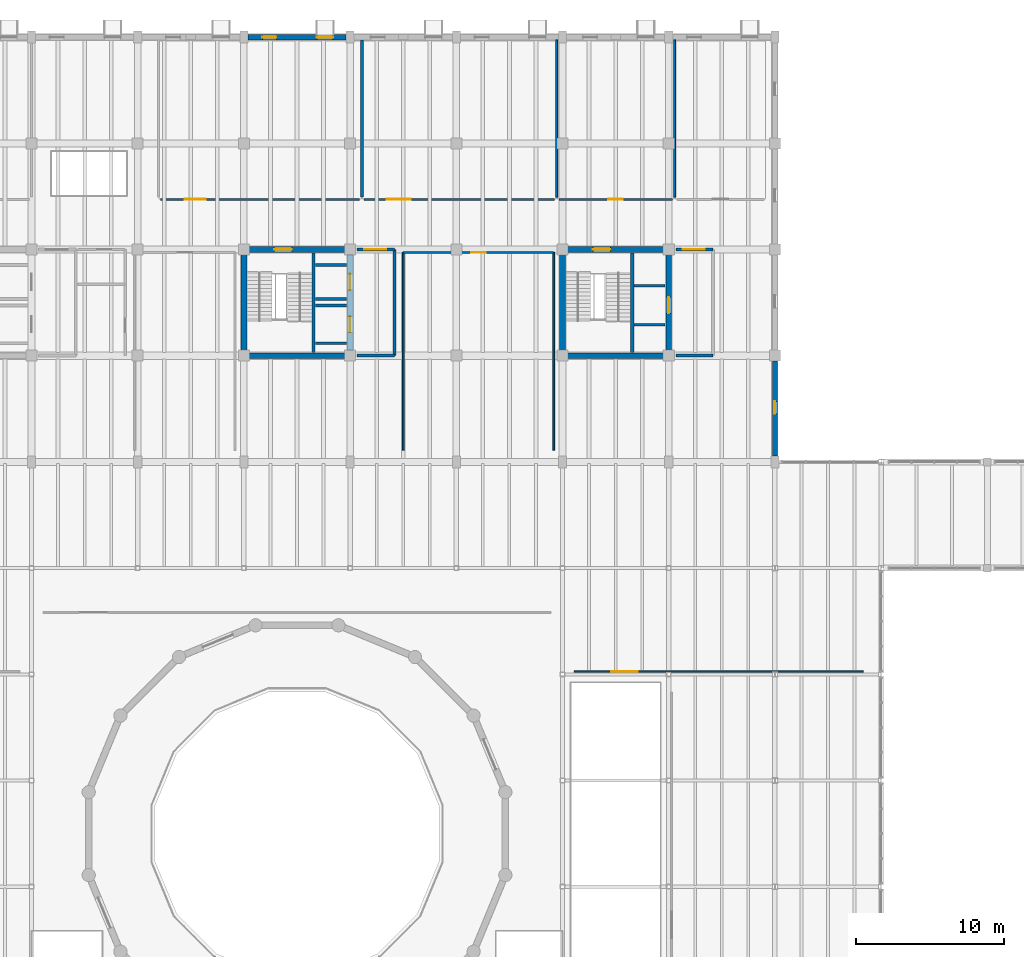
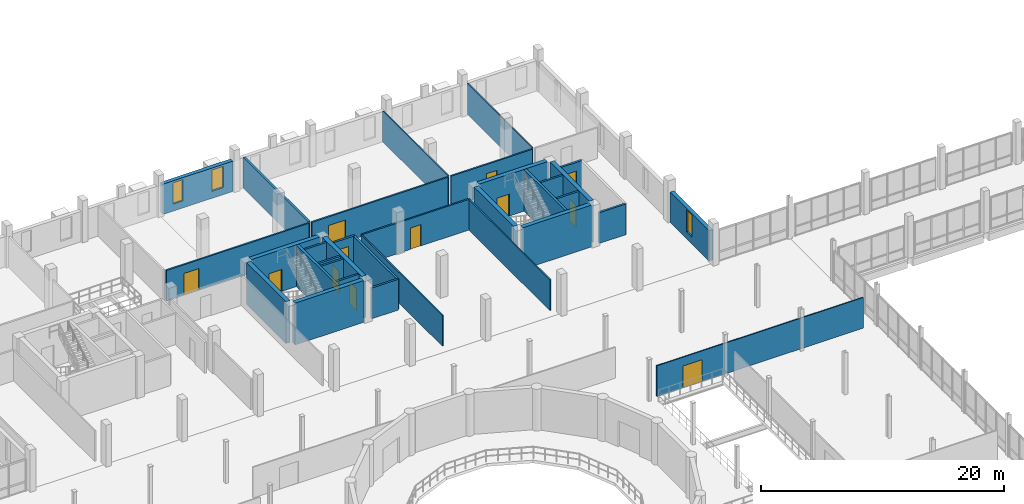
# One storey, part 61 of 72: 33 walls, 12 doors, 3 windows, 15 openings.
"""IFC4 building model written with IfcOpenShell, lengths in metres."""

from ifc_helpers import new_model, si_unit, direction, frame, frame_2d, origin, place, context, subcontext, project, spatial, rectangle, extrude, material, layer, layer_set, type_object, element, fill, save


model = new_model("IFC4")

# Units and contexts
model_context = context("Model", 3, precision=1e-05, world=origin(), true_north=direction((0.0, 1.0)))
body_context = subcontext(model_context, "Body", "Model", "MODEL_VIEW")
ifc_project = project(units=[si_unit("LENGTHUNIT", "METRE"), si_unit("AREAUNIT", "SQUARE_METRE"), si_unit("VOLUMEUNIT", "CUBIC_METRE"), si_unit("PLANEANGLEUNIT", "RADIAN"), si_unit("MASSUNIT", "GRAM", prefix="KILO")], contexts=[model_context])

# Site, building, storey
site_placement = place(None, origin())
site = spatial("IfcSite", under=ifc_project, at=site_placement, CompositionType="ELEMENT")
building_placement = place(site_placement, origin())
building = spatial("IfcBuilding", under=site, at=building_placement, Name="Qiaolan Assembly House", CompositionType="ELEMENT")
storey_placement = place(building_placement, frame((0.0, 0.0, 10.199951171875)))
storey = spatial("IfcBuildingStorey", under=building, at=storey_placement, Name="L02", CompositionType="ELEMENT", Elevation=10.199951171875)

# Wall
ifc_material_1 = material(Name="Concrete C45/55", Category="concrete")
ifc_layer_1 = layer(ifc_material_1, 0.39990234375)
ifc_layer_set_1 = layer_set([ifc_layer_1], Name="Concrete C45/55")
wall_type_1 = type_object("IfcWallType", Name="WAL-CORE-400", PredefinedType="SHEAR", material=ifc_layer_set_1)
wall_1_placement = place(storey_placement, frame((65.14990234375, 93.60009765625, 0.0), z_axis=(0.0, 0.0, 1.0), x_axis=(1.0, 0.0, 0.0)))
element("IfcWall", 1, at=wall_1_placement, inside=storey, type_object=wall_type_1, Name="CW-400 shear core wall CORE-B S L02", PredefinedType="SHEAR", context=body_context, shape_type="SweptSolid", body=[
    extrude(rectangle(XDim=6.5, YDim=0.39990234375, at=frame_2d((3.25, 0.0))), origin(), (0.0, 0.0, 1.0), 4.199951171875),
])

# Wall, openings, doors
wall_2_placement = place(storey_placement, frame((72.0, 93.949951171875, 0.0), z_axis=(0.0, 0.0, 1.0), x_axis=(0.0, 1.0, 0.0)))
wall_2 = element("IfcWall", 2, at=wall_2_placement, inside=storey, type_object=wall_type_1, Name="CW-400 shear core wall CORE-B E L02", PredefinedType="SHEAR", context=body_context, shape_type="SweptSolid", body=[
    extrude(rectangle(XDim=6.5, YDim=0.39990234375, at=frame_2d((3.25, 0.0))), origin(), (0.0, 0.0, 1.0), 4.199951171875),
])
opening_1_placement = place(wall_2_placement, frame((1.22509765625, 0.0, 0.0)))
opening_1 = element("IfcOpeningElement", 3, at=opening_1_placement, cuts=wall_2, Name="Opening LD-022", PredefinedType="OPENING", context=body_context, shape_type="SweptSolid", body=[
    extrude(rectangle(XDim=1.10009765625, YDim=2.199951171875, at=frame_2d((0.550048828125, 1.10009765625))), frame((0.0, 0.2099609375, 0.0), z_axis=(0.0, -1.0, 0.0), x_axis=(1.0, 0.0, 0.0)), (0.0, 0.0, 1.0), 0.419921875),
])
opening_2_placement = place(wall_2_placement, frame((4.10009765625, 0.0, 0.0)))
opening_2 = element("IfcOpeningElement", 4, at=opening_2_placement, cuts=wall_2, Name="Opening LD-031", PredefinedType="OPENING", context=body_context, shape_type="SweptSolid", body=[
    extrude(rectangle(XDim=1.10009765625, YDim=2.199951171875, at=frame_2d((0.550048828125, 1.10009765625))), frame((0.0, 0.2099609375, 0.0), z_axis=(0.0, -1.0, 0.0), x_axis=(1.0, 0.0, 0.0)), (0.0, 0.0, 1.0), 0.419921875),
])
ifc_material_2 = material(Name="Anodised bronze aluminium", Category="aluminium")
door_type_1 = type_object("IfcDoorType", Name="DOR-LIFT-LD1100", OperationType="SLIDING_TO_LEFT", PredefinedType="DOOR", material=ifc_material_2)
door_1_placement = place(opening_1_placement, origin())
door_1 = element("IfcDoor", 5, at=door_1_placement, inside=storey, type_object=door_type_1, Name="Lift landing door LD-022 (LF-03 L02)", OperationType="SLIDING_TO_LEFT", OverallHeight=2.199951171875, OverallWidth=1.10009765625, PredefinedType="DOOR", context=body_context, shape_type="SweptSolid", body=[
    extrude(rectangle(XDim=1.10009765625, YDim=2.199951171875, at=frame_2d((0.550048828125, 1.10009765625))), frame((0.0, 0.02490234375, 0.0), z_axis=(0.0, -1.0, 0.0), x_axis=(1.0, 0.0, 0.0)), (0.0, 0.0, 1.0), 0.050048828125),
])
fill(opening_1, door_1)
door_2_placement = place(opening_2_placement, origin())
door_2 = element("IfcDoor", 6, at=door_2_placement, inside=storey, type_object=door_type_1, Name="Lift landing door LD-031 (LF-04 L02)", OperationType="SLIDING_TO_LEFT", OverallHeight=2.199951171875, OverallWidth=1.10009765625, PredefinedType="DOOR", context=body_context, shape_type="SweptSolid", body=[
    extrude(rectangle(XDim=1.10009765625, YDim=2.199951171875, at=frame_2d((0.550048828125, 1.10009765625))), frame((0.0, 0.02490234375, 0.0), z_axis=(0.0, -1.0, 0.0), x_axis=(1.0, 0.0, 0.0)), (0.0, 0.0, 1.0), 0.050048828125),
])
fill(opening_2, door_2)

# Wall, opening, door
wall_3_placement = place(storey_placement, frame((71.64990234375, 100.800048828125, 0.0), z_axis=(0.0, 0.0, 1.0), x_axis=(-1.0, 0.0, 0.0)))
wall_3 = element("IfcWall", 7, at=wall_3_placement, inside=storey, type_object=wall_type_1, Name="CW-400 shear core wall CORE-B N L02", PredefinedType="SHEAR", context=body_context, shape_type="SweptSolid", body=[
    extrude(rectangle(XDim=6.5, YDim=0.39990234375, at=frame_2d((3.25, 0.0))), origin(), (0.0, 0.0, 1.0), 4.199951171875),
])
opening_3_placement = place(wall_3_placement, frame((3.60009765625, 0.0, 0.0)))
opening_3 = element("IfcOpeningElement", 8, at=opening_3_placement, cuts=wall_3, Name="Opening FD-041", PredefinedType="OPENING", context=body_context, shape_type="SweptSolid", body=[
    extrude(rectangle(XDim=1.199951171875, YDim=2.199951171875, at=frame_2d((0.60009765625, 1.10009765625))), frame((0.0, 0.2099609375, 0.0), z_axis=(0.0, -1.0, 0.0), x_axis=(1.0, 0.0, 0.0)), (0.0, 0.0, 1.0), 0.419921875),
])
ifc_material_3 = material(Name="Steel Q355B", Category="steel")
door_type_2 = type_object("IfcDoorType", Name="DOR-FIRE-FD90-1200", OperationType="NOTDEFINED", PredefinedType="DOOR", material=ifc_material_3)
door_3_placement = place(opening_3_placement, frame((1.199951171875, 0.0, 0.0), z_axis=(0.0, 0.0, 1.0), x_axis=(-1.0, 0.0, 0.0)))
door_3 = element("IfcDoor", 9, at=door_3_placement, inside=storey, type_object=door_type_2, Name="Stairwell fire door FD-041 (CORE-B L02)", OperationType="SINGLE_SWING_RIGHT", OverallHeight=2.199951171875, OverallWidth=1.199951171875, PredefinedType="DOOR", context=body_context, shape_type="SweptSolid", body=[
    extrude(rectangle(XDim=1.199951171875, YDim=2.199951171875, at=frame_2d((0.60009765625, 1.10009765625))), frame((0.0, 0.02490234375, 0.0), z_axis=(0.0, -1.0, 0.0), x_axis=(1.0, 0.0, 0.0)), (0.0, 0.0, 1.0), 0.050048828125),
])
fill(opening_3, door_3)

# Walls
for number, where, z_axis, x_axis, name in (
    (10, (64.800048828125, 100.449951171875, 0.0), (0.0, 0.0, 1.0), (0.0, -1.0, 0.0), "CW-400 shear core wall CORE-B W L02"),
    (11, (86.75, 93.60009765625, 0.0), (0.0, 0.0, 1.0), (1.0, 0.0, 0.0), "CW-400 shear core wall CORE-G S L02"),
):
    element("IfcWall", number, at=place(storey_placement, frame(where, z_axis=z_axis, x_axis=x_axis)), inside=storey, type_object=wall_type_1, Name=name, PredefinedType="SHEAR", context=body_context, shape_type="SweptSolid", body=[
        extrude(rectangle(XDim=6.5, YDim=0.39990234375, at=frame_2d((3.25, 0.0))), origin(), (0.0, 0.0, 1.0), 4.199951171875),
    ])

# Wall, opening, door
wall_4_placement = place(storey_placement, frame((93.60009765625, 93.949951171875, 0.0), z_axis=(0.0, 0.0, 1.0), x_axis=(0.0, 1.0, 0.0)))
wall_4 = element("IfcWall", 12, at=wall_4_placement, inside=storey, type_object=wall_type_1, Name="CW-400 shear core wall CORE-G E L02", PredefinedType="SHEAR", context=body_context, shape_type="SweptSolid", body=[
    extrude(rectangle(XDim=6.5, YDim=0.39990234375, at=frame_2d((3.25, 0.0))), origin(), (0.0, 0.0, 1.0), 4.199951171875),
])
opening_4_placement = place(wall_4_placement, frame((2.52490234375, 0.0, 0.0)))
opening_4 = element("IfcOpeningElement", 13, at=opening_4_placement, cuts=wall_4, Name="Opening LD-040", PredefinedType="OPENING", context=body_context, shape_type="SweptSolid", body=[
    extrude(rectangle(XDim=1.10009765625, YDim=2.199951171875, at=frame_2d((0.550048828125, 1.10009765625))), frame((0.0, 0.2099609375, 0.0), z_axis=(0.0, -1.0, 0.0), x_axis=(1.0, 0.0, 0.0)), (0.0, 0.0, 1.0), 0.419921875),
])
door_4_placement = place(opening_4_placement, origin())
door_4 = element("IfcDoor", 14, at=door_4_placement, inside=storey, type_object=door_type_1, Name="Lift landing door LD-040 (LF-05 L02)", OperationType="SLIDING_TO_LEFT", OverallHeight=2.199951171875, OverallWidth=1.10009765625, PredefinedType="DOOR", context=body_context, shape_type="SweptSolid", body=[
    extrude(rectangle(XDim=1.10009765625, YDim=2.199951171875, at=frame_2d((0.550048828125, 1.10009765625))), frame((0.0, 0.02490234375, 0.0), z_axis=(0.0, -1.0, 0.0), x_axis=(1.0, 0.0, 0.0)), (0.0, 0.0, 1.0), 0.050048828125),
])
fill(opening_4, door_4)

wall_5_placement = place(storey_placement, frame((93.25, 100.800048828125, 0.0), z_axis=(0.0, 0.0, 1.0), x_axis=(-1.0, 0.0, 0.0)))
wall_5 = element("IfcWall", 15, at=wall_5_placement, inside=storey, type_object=wall_type_1, Name="CW-400 shear core wall CORE-G N L02", PredefinedType="SHEAR", context=body_context, shape_type="SweptSolid", body=[
    extrude(rectangle(XDim=6.5, YDim=0.39990234375, at=frame_2d((3.25, 0.0))), origin(), (0.0, 0.0, 1.0), 4.199951171875),
])
opening_5_placement = place(wall_5_placement, frame((3.60009765625, 0.0, 0.0)))
opening_5 = element("IfcOpeningElement", 16, at=opening_5_placement, cuts=wall_5, Name="Opening FD-059", PredefinedType="OPENING", context=body_context, shape_type="SweptSolid", body=[
    extrude(rectangle(XDim=1.199951171875, YDim=2.199951171875, at=frame_2d((0.60009765625, 1.10009765625))), frame((0.0, 0.2099609375, 0.0), z_axis=(0.0, -1.0, 0.0), x_axis=(1.0, 0.0, 0.0)), (0.0, 0.0, 1.0), 0.419921875),
])
door_5_placement = place(opening_5_placement, frame((1.199951171875, 0.0, 0.0), z_axis=(0.0, 0.0, 1.0), x_axis=(-1.0, 0.0, 0.0)))
door_5 = element("IfcDoor", 17, at=door_5_placement, inside=storey, type_object=door_type_2, Name="Stairwell fire door FD-059 (CORE-G L02)", OperationType="SINGLE_SWING_LEFT", OverallHeight=2.199951171875, OverallWidth=1.199951171875, PredefinedType="DOOR", context=body_context, shape_type="SweptSolid", body=[
    extrude(rectangle(XDim=1.199951171875, YDim=2.199951171875, at=frame_2d((0.60009765625, 1.10009765625))), frame((0.0, 0.02490234375, 0.0), z_axis=(0.0, -1.0, 0.0), x_axis=(1.0, 0.0, 0.0)), (0.0, 0.0, 1.0), 0.050048828125),
])
fill(opening_5, door_5)

# Wall
wall_6_placement = place(storey_placement, frame((86.39990234375, 100.449951171875, 0.0), z_axis=(0.0, 0.0, 1.0), x_axis=(0.0, -1.0, 0.0)))
element("IfcWall", 18, at=wall_6_placement, inside=storey, type_object=wall_type_1, Name="CW-400 shear core wall CORE-G W L02", PredefinedType="SHEAR", context=body_context, shape_type="SweptSolid", body=[
    extrude(rectangle(XDim=6.5, YDim=0.39990234375, at=frame_2d((3.25, 0.0))), origin(), (0.0, 0.0, 1.0), 4.199951171875),
])

# Wall, openings, windows
ifc_material_4 = material(Name="Honed pale limestone", Category="masonry")
ifc_layer_2 = layer(ifc_material_4, 0.360107421875)
ifc_layer_set_2 = layer_set([ifc_layer_2], Name="Honed pale limestone")
wall_type_2 = type_object("IfcWallType", Name="WAL-EXT-LIMESTONE-360", PredefinedType="SOLIDWALL", material=ifc_layer_set_2)
wall_7_placement = place(storey_placement, frame((71.72705078125, 115.199951171875, 0.0), z_axis=(0.0, 0.0, 1.0), x_axis=(-1.0, 0.0, 0.0)))
wall_7 = element("IfcWall", 19, at=wall_7_placement, inside=storey, type_object=wall_type_2, Name="EW-360 NW North street wall L02 bay 5", PredefinedType="SOLIDWALL", context=body_context, shape_type="SweptSolid", body=[
    extrude(rectangle(XDim=6.654052734375, YDim=0.360107421875, at=frame_2d((3.3271484375, 0.0))), origin(), (0.0, 0.0, 1.0), 3.0400390625),
])
opening_6_placement = place(wall_7_placement, frame((0.876953125, 0.0, 0.699951171875)))
opening_6 = element("IfcOpeningElement", 20, at=opening_6_placement, cuts=wall_7, Name="Opening WN-050", PredefinedType="OPENING", context=body_context, shape_type="SweptSolid", body=[
    extrude(rectangle(XDim=1.10009765625, YDim=2.139892578125, at=frame_2d((0.550048828125, 1.06982421875))), frame((0.0, 0.18994140625, 0.0), z_axis=(0.0, -1.0, 0.0), x_axis=(1.0, 0.0, 0.0)), (0.0, 0.0, 1.0), 0.380126953125),
])
opening_7_placement = place(wall_7_placement, frame((4.72705078125, 0.0, 0.699951171875)))
opening_7 = element("IfcOpeningElement", 21, at=opening_7_placement, cuts=wall_7, Name="Opening WN-051", PredefinedType="OPENING", context=body_context, shape_type="SweptSolid", body=[
    extrude(rectangle(XDim=0.949951171875, YDim=2.139892578125, at=frame_2d((0.47509765625, 1.06982421875))), frame((0.0, 0.18994140625, 0.0), z_axis=(0.0, -1.0, 0.0), x_axis=(1.0, 0.0, 0.0)), (0.0, 0.0, 1.0), 0.380126953125),
])
ifc_material_5 = material(Name="Low-E double insulating glass", Category="glass")
window_type_1 = type_object("IfcWindowType", Name="WIN-BOX-1100x2600", PartitioningType="SINGLE_PANEL", PredefinedType="WINDOW", material=ifc_material_5)
window_1_placement = place(opening_6_placement, origin())
window_1 = element("IfcWindow", 22, at=window_1_placement, inside=storey, type_object=window_type_1, Name="WN-T02 window WN-050", OverallHeight=2.139892578125, OverallWidth=1.10009765625, PartitioningType="SINGLE_PANEL", PredefinedType="WINDOW", context=body_context, shape_type="SweptSolid", body=[
    extrude(rectangle(XDim=1.10009765625, YDim=2.139892578125, at=frame_2d((0.550048828125, 1.06982421875))), frame((0.0, 0.030029296875, 0.0), z_axis=(0.0, -1.0, 0.0), x_axis=(1.0, 0.0, 0.0)), (0.0, 0.0, 1.0), 0.06005859375),
])
fill(opening_6, window_1)
window_type_2 = type_object("IfcWindowType", Name="WIN-PUNCH-950x2400", PartitioningType="SINGLE_PANEL", PredefinedType="WINDOW", material=ifc_material_5)
window_2_placement = place(opening_7_placement, origin())
window_2 = element("IfcWindow", 23, at=window_2_placement, inside=storey, type_object=window_type_2, Name="WN-T06 window WN-051", OverallHeight=2.139892578125, OverallWidth=0.949951171875, PartitioningType="SINGLE_PANEL", PredefinedType="WINDOW", context=body_context, shape_type="SweptSolid", body=[
    extrude(rectangle(XDim=0.949951171875, YDim=2.139892578125, at=frame_2d((0.47509765625, 1.06982421875))), frame((0.0, 0.030029296875, 0.0), z_axis=(0.0, -1.0, 0.0), x_axis=(1.0, 0.0, 0.0)), (0.0, 0.0, 1.0), 0.06005859375),
])
fill(opening_7, window_2)

# Wall, opening, window
wall_8_placement = place(storey_placement, frame((100.800048828125, 93.22705078125, 0.0), z_axis=(0.0, 0.0, 1.0), x_axis=(0.0, -1.0, 0.0)))
wall_8 = element("IfcWall", 24, at=wall_8_placement, inside=storey, type_object=wall_type_2, Name="NW East wall L02-1", PredefinedType="SOLIDWALL", context=body_context, shape_type="SweptSolid", body=[
    extrude(rectangle(XDim=6.428955078125, YDim=0.360107421875, at=frame_2d((3.21435546875, 0.0))), origin(), (0.0, 0.0, 1.0), 3.0400390625),
])
opening_8_placement = place(wall_8_placement, frame((2.72705078125, 0.0, 0.699951171875)))
opening_8 = element("IfcOpeningElement", 25, at=opening_8_placement, cuts=wall_8, Name="Opening WN-061", PredefinedType="OPENING", context=body_context, shape_type="SweptSolid", body=[
    extrude(rectangle(XDim=0.85009765625, YDim=2.18994140625, at=frame_2d((0.425048828125, 1.094970703125))), frame((0.0, 0.18994140625, 0.0), z_axis=(0.0, -1.0, 0.0), x_axis=(1.0, 0.0, 0.0)), (0.0, 0.0, 1.0), 0.380126953125),
])
window_type_3 = type_object("IfcWindowType", Name="WIN-END-850x2200", PartitioningType="SINGLE_PANEL", PredefinedType="WINDOW", material=ifc_material_5)
window_3_placement = place(opening_8_placement, origin())
window_3 = element("IfcWindow", 26, at=window_3_placement, inside=storey, type_object=window_type_3, Name="NW East window WN-061", OverallHeight=2.18994140625, OverallWidth=0.85009765625, PartitioningType="SINGLE_PANEL", PredefinedType="WINDOW", context=body_context, shape_type="SweptSolid", body=[
    extrude(rectangle(XDim=0.85009765625, YDim=2.18994140625, at=frame_2d((0.425048828125, 1.094970703125))), frame((0.0, 0.030029296875, 0.0), z_axis=(0.0, -1.0, 0.0), x_axis=(1.0, 0.0, 0.0)), (0.0, 0.0, 1.0), 0.06005859375),
])
fill(opening_8, window_3)

# Walls
ifc_material_6 = material(Name="Concrete C35/45", Category="concrete")
ifc_layer_3 = layer(ifc_material_6, 0.199951171875)
ifc_layer_set_3 = layer_set([ifc_layer_3], Name="Concrete C35/45")
wall_type_3 = type_object("IfcWallType", Name="WAL-LOBBY-200", PredefinedType="PARTITIONING", material=ifc_layer_set_3)
wall_9_placement = place(storey_placement, frame((75.0, 93.60009765625, 0.0), z_axis=(0.0, 0.0, 1.0), x_axis=(0.0, 1.0, 0.0)))
element("IfcWall", 27, at=wall_9_placement, inside=storey, type_object=wall_type_3, Name="Firefighting lift lobby east wall CORE-B L02", PredefinedType="PARTITIONING", context=body_context, shape_type="SweptSolid", body=[
    extrude(rectangle(XDim=7.199951171875, YDim=0.199951171875, at=frame_2d((3.60009765625, 0.0))), origin(), (0.0, 0.0, 1.0), 3.080078125),
])
wall_10_placement = place(storey_placement, frame((72.47998046875, 93.60009765625, 0.0), z_axis=(0.0, 0.0, 1.0), x_axis=(1.0, 0.0, 0.0)))
element("IfcWall", 28, at=wall_10_placement, inside=storey, type_object=wall_type_3, Name="Firefighting lift lobby south wall CORE-B L02", PredefinedType="PARTITIONING", context=body_context, shape_type="SweptSolid", body=[
    extrude(rectangle(XDim=2.52001953125, YDim=0.199951171875, at=frame_2d((1.260009765625, 0.0))), origin(), (0.0, 0.0, 1.0), 3.080078125),
])

# Wall, opening, door
wall_11_placement = place(storey_placement, frame((75.0, 100.800048828125, 0.0), z_axis=(0.0, 0.0, 1.0), x_axis=(-1.0, 0.0, 0.0)))
wall_11 = element("IfcWall", 29, at=wall_11_placement, inside=storey, type_object=wall_type_3, Name="Firefighting lift lobby north wall CORE-B L02", PredefinedType="PARTITIONING", context=body_context, shape_type="SweptSolid", body=[
    extrude(rectangle(XDim=2.52001953125, YDim=0.199951171875, at=frame_2d((1.260009765625, 0.0))), origin(), (0.0, 0.0, 1.0), 3.080078125),
])
opening_9_placement = place(wall_11_placement, frame((0.550048828125, 0.0, 0.0)))
opening_9 = element("IfcOpeningElement", 30, at=opening_9_placement, cuts=wall_11, Name="Opening FD-042", PredefinedType="OPENING", context=body_context, shape_type="SweptSolid", body=[
    extrude(rectangle(XDim=1.5, YDim=2.199951171875, at=frame_2d((0.75, 1.10009765625))), frame((0.0, 0.10986328125, 0.0), z_axis=(0.0, -1.0, 0.0), x_axis=(1.0, 0.0, 0.0)), (0.0, 0.0, 1.0), 0.219970703125),
])
ifc_material_7 = material(Name="Acoustic oak panelling")
door_type_3 = type_object("IfcDoorType", Name="DOR-LOBBY-FD60-1500", OperationType="DOUBLE_DOOR_SINGLE_SWING", PredefinedType="DOOR", material=ifc_material_7)
door_6_placement = place(opening_9_placement, frame((1.5, 0.0, 0.0), z_axis=(0.0, 0.0, 1.0), x_axis=(-1.0, 0.0, 0.0)))
door_6 = element("IfcDoor", 31, at=door_6_placement, inside=storey, type_object=door_type_3, Name="Lobby corridor fire door FD-042", OperationType="DOUBLE_DOOR_SINGLE_SWING", OverallHeight=2.199951171875, OverallWidth=1.5, PredefinedType="DOOR", context=body_context, shape_type="SweptSolid", body=[
    extrude(rectangle(XDim=1.5, YDim=2.199951171875, at=frame_2d((0.75, 1.10009765625))), frame((0.0, 0.02490234375, 0.0), z_axis=(0.0, -1.0, 0.0), x_axis=(1.0, 0.0, 0.0)), (0.0, 0.0, 1.0), 0.050048828125),
])
fill(opening_9, door_6)

# Wall
wall_12_placement = place(storey_placement, frame((94.080078125, 93.60009765625, 0.0), z_axis=(0.0, 0.0, 1.0), x_axis=(1.0, 0.0, 0.0)))
element("IfcWall", 32, at=wall_12_placement, inside=storey, type_object=wall_type_3, Name="Firefighting lift lobby south wall CORE-G L02", PredefinedType="PARTITIONING", context=body_context, shape_type="SweptSolid", body=[
    extrude(rectangle(XDim=2.52001953125, YDim=0.199951171875, at=frame_2d((1.260009765625, 0.0))), origin(), (0.0, 0.0, 1.0), 3.080078125),
])

# Wall, opening, door
wall_13_placement = place(storey_placement, frame((96.60009765625, 100.800048828125, 0.0), z_axis=(0.0, 0.0, 1.0), x_axis=(-1.0, 0.0, 0.0)))
wall_13 = element("IfcWall", 33, at=wall_13_placement, inside=storey, type_object=wall_type_3, Name="Firefighting lift lobby north wall CORE-G L02", PredefinedType="PARTITIONING", context=body_context, shape_type="SweptSolid", body=[
    extrude(rectangle(XDim=2.52001953125, YDim=0.199951171875, at=frame_2d((1.260009765625, 0.0))), origin(), (0.0, 0.0, 1.0), 3.080078125),
])
opening_10_placement = place(wall_13_placement, frame((0.550048828125, 0.0, 0.0)))
opening_10 = element("IfcOpeningElement", 34, at=opening_10_placement, cuts=wall_13, Name="Opening FD-060", PredefinedType="OPENING", context=body_context, shape_type="SweptSolid", body=[
    extrude(rectangle(XDim=1.5, YDim=2.199951171875, at=frame_2d((0.75, 1.10009765625))), frame((0.0, 0.10986328125, 0.0), z_axis=(0.0, -1.0, 0.0), x_axis=(1.0, 0.0, 0.0)), (0.0, 0.0, 1.0), 0.219970703125),
])
door_7_placement = place(opening_10_placement, frame((1.5, 0.0, 0.0), z_axis=(0.0, 0.0, 1.0), x_axis=(-1.0, 0.0, 0.0)))
door_7 = element("IfcDoor", 35, at=door_7_placement, inside=storey, type_object=door_type_3, Name="Lobby corridor fire door FD-060", OperationType="DOUBLE_DOOR_SINGLE_SWING", OverallHeight=2.199951171875, OverallWidth=1.5, PredefinedType="DOOR", context=body_context, shape_type="SweptSolid", body=[
    extrude(rectangle(XDim=1.5, YDim=2.199951171875, at=frame_2d((0.75, 1.10009765625))), frame((0.0, 0.02490234375, 0.0), z_axis=(0.0, -1.0, 0.0), x_axis=(1.0, 0.0, 0.0)), (0.0, 0.0, 1.0), 0.050048828125),
])
fill(opening_10, door_7)

# Walls
ifc_material_8 = material(Name="Gypsum plasterboard partition")
ifc_layer_4 = layer(ifc_material_8, 0.1201171875)
ifc_layer_set_4 = layer_set([ifc_layer_4], Name="Gypsum plasterboard partition")
wall_type_4 = type_object("IfcWallType", Name="WAL-PART-120", PredefinedType="PARTITIONING", material=ifc_layer_set_4)
for number, where, z_axis, x_axis, name in (
    (36, (86.0, 104.35009765625, 0.0), (0.0, 0.0, 1.0), (0.0, 1.0, 0.0), "Civic Policy Research & Analytics Studio demising wall"),
    (37, (94.0, 104.35009765625, 0.0), (0.0, 0.0, 1.0), (0.0, 1.0, 0.0), "Members Briefing Pantry & Tea Room demising wall"),
):
    element("IfcWall", number, at=place(storey_placement, frame(where, z_axis=z_axis, x_axis=x_axis)), inside=storey, type_object=wall_type_4, Name=name, PredefinedType="PARTITIONING", context=body_context, shape_type="SweptSolid", body=[
        extrude(rectangle(XDim=10.669921875, YDim=0.1201171875, at=frame_2d((5.3349609375, 0.0))), origin(), (0.0, 0.0, 1.0), 3.080078125),
    ])
for number, where, z_axis, x_axis, name in (
    (38, (75.60009765625, 87.199951171875, 0.0), (0.0, 0.0, 1.0), (0.0, 1.0, 0.0), "Legislative Records & Briefing Room west wall"),
    (39, (85.800048828125, 100.60009765625, 0.0), (0.0, 0.0, 1.0), (0.0, -1.0, 0.0), "Legislative Records & Briefing Room east wall"),
):
    element("IfcWall", number, at=place(storey_placement, frame(where, z_axis=z_axis, x_axis=x_axis)), inside=storey, type_object=wall_type_4, Name=name, PredefinedType="PARTITIONING", context=body_context, shape_type="SweptSolid", body=[
        extrude(rectangle(XDim=13.400146484375, YDim=0.1201171875, at=frame_2d((6.7001953125, 0.0))), origin(), (0.0, 0.0, 1.0), 3.080078125),
    ])

# Wall, opening, door
ifc_layer_5 = layer(ifc_material_8, 0.14990234375)
ifc_layer_set_5 = layer_set([ifc_layer_5], Name="Gypsum plasterboard partition")
wall_type_5 = type_object("IfcWallType", Name="WAL-PART-150", PredefinedType="PARTITIONING", material=ifc_layer_set_5)
wall_14_placement = place(storey_placement, frame((59.14990234375, 104.199951171875, 0.0), z_axis=(0.0, 0.0, 1.0), x_axis=(1.0, 0.0, 0.0)))
wall_14 = element("IfcWall", 40, at=wall_14_placement, inside=storey, type_object=wall_type_5, Name="Committee Room 4 — Ecology & Yangtze Basin corridor wall", PredefinedType="PARTITIONING", context=body_context, shape_type="SweptSolid", body=[
    extrude(rectangle(XDim=13.5, YDim=0.14990234375, at=frame_2d((6.75, 0.0))), origin(), (0.0, 0.0, 1.0), 3.080078125),
])
opening_11_placement = place(wall_14_placement, frame((1.64990234375, 0.0, 0.0)))
opening_11 = element("IfcOpeningElement", 41, at=opening_11_placement, cuts=wall_14, Name="Opening ND-192", PredefinedType="OPENING", context=body_context, shape_type="SweptSolid", body=[
    extrude(rectangle(XDim=1.39990234375, YDim=2.199951171875, at=frame_2d((0.699951171875, 1.10009765625))), frame((0.0, 0.0849609375, 0.0), z_axis=(0.0, -1.0, 0.0), x_axis=(1.0, 0.0, 0.0)), (0.0, 0.0, 1.0), 0.169921875),
])
door_type_4 = type_object("IfcDoorType", Name="DOR-ARCH-DBL-1400", OperationType="DOUBLE_DOOR_SINGLE_SWING", PredefinedType="DOOR", material=ifc_material_7)
door_8_placement = place(opening_11_placement, origin())
door_8 = element("IfcDoor", 42, at=door_8_placement, inside=storey, type_object=door_type_4, Name="Committee Room 4 — Ecology & Yangtze Basin door ND-192", OperationType="DOUBLE_DOOR_SINGLE_SWING", OverallHeight=2.199951171875, OverallWidth=1.39990234375, PredefinedType="DOOR", context=body_context, shape_type="SweptSolid", body=[
    extrude(rectangle(XDim=1.39990234375, YDim=2.199951171875, at=frame_2d((0.699951171875, 1.10009765625))), frame((0.0, 0.02490234375, 0.0), z_axis=(0.0, -1.0, 0.0), x_axis=(1.0, 0.0, 0.0)), (0.0, 0.0, 1.0), 0.050048828125),
])
fill(opening_11, door_8)

wall_15_placement = place(storey_placement, frame((72.949951171875, 104.199951171875, 0.0), z_axis=(0.0, 0.0, 1.0), x_axis=(1.0, 0.0, 0.0)))
wall_15 = element("IfcWall", 43, at=wall_15_placement, inside=storey, type_object=wall_type_5, Name="Standing Committee Deliberation Room corridor wall", PredefinedType="PARTITIONING", context=body_context, shape_type="SweptSolid", body=[
    extrude(rectangle(XDim=12.900146484375, YDim=0.14990234375, at=frame_2d((6.4501953125, 0.0))), origin(), (0.0, 0.0, 1.0), 3.080078125),
])
opening_12_placement = place(wall_15_placement, frame((1.550048828125, 0.0, 0.0)))
opening_12 = element("IfcOpeningElement", 44, at=opening_12_placement, cuts=wall_15, Name="Opening ND-193", PredefinedType="OPENING", context=body_context, shape_type="SweptSolid", body=[
    extrude(rectangle(XDim=1.60009765625, YDim=2.199951171875, at=frame_2d((0.800048828125, 1.10009765625))), frame((0.0, 0.0849609375, 0.0), z_axis=(0.0, -1.0, 0.0), x_axis=(1.0, 0.0, 0.0)), (0.0, 0.0, 1.0), 0.169921875),
])
door_type_5 = type_object("IfcDoorType", Name="DOR-COMM-DBL-1600", OperationType="DOUBLE_DOOR_SINGLE_SWING", PredefinedType="DOOR", material=ifc_material_7)
door_9_placement = place(opening_12_placement, origin())
door_9 = element("IfcDoor", 45, at=door_9_placement, inside=storey, type_object=door_type_5, Name="Standing Committee Deliberation Room door ND-193", OperationType="DOUBLE_DOOR_SINGLE_SWING", OverallHeight=2.199951171875, OverallWidth=1.60009765625, PredefinedType="DOOR", context=body_context, shape_type="SweptSolid", body=[
    extrude(rectangle(XDim=1.60009765625, YDim=2.199951171875, at=frame_2d((0.800048828125, 1.10009765625))), frame((0.0, 0.02490234375, 0.0), z_axis=(0.0, -1.0, 0.0), x_axis=(1.0, 0.0, 0.0)), (0.0, 0.0, 1.0), 0.050048828125),
])
fill(opening_12, door_9)

wall_16_placement = place(storey_placement, frame((86.14990234375, 104.199951171875, 0.0), z_axis=(0.0, 0.0, 1.0), x_axis=(1.0, 0.0, 0.0)))
wall_16 = element("IfcWall", 46, at=wall_16_placement, inside=storey, type_object=wall_type_5, Name="Civic Policy Research & Analytics Studio corridor wall", PredefinedType="PARTITIONING", context=body_context, shape_type="SweptSolid", body=[
    extrude(rectangle(XDim=7.7001953125, YDim=0.14990234375, at=frame_2d((3.85009765625, 0.0))), origin(), (0.0, 0.0, 1.0), 3.080078125),
])
opening_13_placement = place(wall_16_placement, frame((3.35009765625, 0.0, 0.0)))
opening_13 = element("IfcOpeningElement", 47, at=opening_13_placement, cuts=wall_16, Name="Opening ND-194", PredefinedType="OPENING", context=body_context, shape_type="SweptSolid", body=[
    extrude(rectangle(XDim=1.0, YDim=2.14990234375, at=frame_2d((0.5, 1.074951171875))), frame((0.0, 0.0849609375, 0.0), z_axis=(0.0, -1.0, 0.0), x_axis=(1.0, 0.0, 0.0)), (0.0, 0.0, 1.0), 0.169921875),
])
door_type_6 = type_object("IfcDoorType", Name="DOR-OFF-SGL-1000", OperationType="NOTDEFINED", PredefinedType="DOOR", material=ifc_material_7)
door_10_placement = place(opening_13_placement, origin())
door_10 = element("IfcDoor", 48, at=door_10_placement, inside=storey, type_object=door_type_6, Name="Civic Policy Research & Analytics Studio door ND-194", OperationType="SINGLE_SWING_RIGHT", OverallHeight=2.14990234375, OverallWidth=1.0, PredefinedType="DOOR", context=body_context, shape_type="SweptSolid", body=[
    extrude(rectangle(XDim=1.0, YDim=2.14990234375, at=frame_2d((0.5, 1.074951171875))), frame((0.0, 0.02490234375, 0.0), z_axis=(0.0, -1.0, 0.0), x_axis=(1.0, 0.0, 0.0)), (0.0, 0.0, 1.0), 0.050048828125),
])
fill(opening_13, door_10)

wall_17_placement = place(storey_placement, frame((85.800048828125, 100.60009765625, 0.0), z_axis=(0.0, 0.0, 1.0), x_axis=(-1.0, 0.0, 0.0)))
wall_17 = element("IfcWall", 49, at=wall_17_placement, inside=storey, type_object=wall_type_5, Name="Legislative Records & Briefing Room corridor wall", PredefinedType="PARTITIONING", context=body_context, shape_type="SweptSolid", body=[
    extrude(rectangle(XDim=10.199951171875, YDim=0.14990234375, at=frame_2d((5.10009765625, 0.0))), origin(), (0.0, 0.0, 1.0), 3.080078125),
])
opening_14_placement = place(wall_17_placement, frame((4.60009765625, 0.0, 0.0)))
opening_14 = element("IfcOpeningElement", 50, at=opening_14_placement, cuts=wall_17, Name="Opening SD-198", PredefinedType="OPENING", context=body_context, shape_type="SweptSolid", body=[
    extrude(rectangle(XDim=1.0, YDim=2.14990234375, at=frame_2d((0.5, 1.074951171875))), frame((0.0, 0.0849609375, 0.0), z_axis=(0.0, -1.0, 0.0), x_axis=(1.0, 0.0, 0.0)), (0.0, 0.0, 1.0), 0.169921875),
])
door_11_placement = place(opening_14_placement, origin())
door_11 = element("IfcDoor", 51, at=door_11_placement, inside=storey, type_object=door_type_6, Name="Legislative Records & Briefing Room door SD-198", OperationType="SINGLE_SWING_RIGHT", OverallHeight=2.14990234375, OverallWidth=1.0, PredefinedType="DOOR", context=body_context, shape_type="SweptSolid", body=[
    extrude(rectangle(XDim=1.0, YDim=2.14990234375, at=frame_2d((0.5, 1.074951171875))), frame((0.0, 0.02490234375, 0.0), z_axis=(0.0, -1.0, 0.0), x_axis=(1.0, 0.0, 0.0)), (0.0, 0.0, 1.0), 0.050048828125),
])
fill(opening_14, door_11)

# Wall
ifc_material_9 = material(Name="Gypsum acoustic stud wall")
ifc_layer_6 = layer(ifc_material_9, 0.2119140625)
ifc_layer_set_6 = layer_set([ifc_layer_6], Name="Gypsum acoustic stud wall")
wall_type_6 = type_object("IfcWallType", Name="WAL-PART-ACOUSTIC-200", PredefinedType="PARTITIONING", material=ifc_layer_set_6)
wall_18_placement = place(storey_placement, frame((72.800048828125, 104.35009765625, 0.0), z_axis=(0.0, 0.0, 1.0), x_axis=(0.0, 1.0, 0.0)))
element("IfcWall", 52, at=wall_18_placement, inside=storey, type_object=wall_type_6, Name="Standing Committee Deliberation Room demising wall", PredefinedType="PARTITIONING", context=body_context, shape_type="SweptSolid", body=[
    extrude(rectangle(XDim=10.669921875, YDim=0.2119140625, at=frame_2d((5.3349609375, 0.0))), origin(), (0.0, 0.0, 1.0), 3.080078125),
])

# Wall, opening, door
ifc_layer_7 = layer(ifc_material_5, 0.10498046875)
ifc_layer_set_7 = layer_set([ifc_layer_7], Name="Low-E double insulating glass")
wall_type_7 = type_object("IfcWallType", Name="WAL-PART-GLAZED-120", PredefinedType="PARTITIONING", material=ifc_layer_set_7)
wall_19_placement = place(storey_placement, frame((87.199951171875, 72.199951171875, 0.0), z_axis=(0.0, 0.0, 1.0), x_axis=(1.0, 0.0, 0.0)))
wall_19 = element("IfcWall", 53, at=wall_19_placement, inside=storey, type_object=wall_type_7, Name="Public Visitors Mezzanine Reading Lounge glazed partition", PredefinedType="PARTITIONING", context=body_context, shape_type="SweptSolid", body=[
    extrude(rectangle(XDim=19.60009765625, YDim=0.10498046875, at=frame_2d((9.800048828125, 0.0))), origin(), (0.0, 0.0, 1.0), 3.080078125),
])
opening_15_placement = place(wall_19_placement, frame((2.5, 0.0, 0.0)))
opening_15 = element("IfcOpeningElement", 54, at=opening_15_placement, cuts=wall_19, Name="Opening GD-170", PredefinedType="OPENING", context=body_context, shape_type="SweptSolid", body=[
    extrude(rectangle(XDim=1.800048828125, YDim=2.199951171875, at=frame_2d((0.89990234375, 1.10009765625))), frame((0.0, 0.0625, 0.0), z_axis=(0.0, -1.0, 0.0), x_axis=(1.0, 0.0, 0.0)), (0.0, 0.0, 1.0), 0.125),
])
door_type_7 = type_object("IfcDoorType", Name="DOR-CORR-DBL-1800", OperationType="DOUBLE_DOOR_SINGLE_SWING", PredefinedType="DOOR", material=ifc_material_2)
door_12_placement = place(opening_15_placement, origin())
door_12 = element("IfcDoor", 55, at=door_12_placement, inside=storey, type_object=door_type_7, Name="Public Visitors Mezzanine Reading Lounge door GD-170", OperationType="DOUBLE_DOOR_SINGLE_SWING", OverallHeight=2.199951171875, OverallWidth=1.800048828125, PredefinedType="DOOR", context=body_context, shape_type="SweptSolid", body=[
    extrude(rectangle(XDim=1.800048828125, YDim=2.199951171875, at=frame_2d((0.89990234375, 1.10009765625))), frame((0.0, 0.02490234375, 0.0), z_axis=(0.0, -1.0, 0.0), x_axis=(1.0, 0.0, 0.0)), (0.0, 0.0, 1.0), 0.050048828125),
])
fill(opening_15, door_12)

# Walls
ifc_layer_8 = layer(ifc_material_6, 0.18505859375)
ifc_layer_set_8 = layer_set([ifc_layer_8], Name="Concrete C35/45")
wall_type_8 = type_object("IfcWallType", Name="WAL-SHAFT-200", PredefinedType="PARTITIONING", material=ifc_layer_set_8)
for number, where, z_axis, x_axis, name in (
    (56, (69.64990234375, 94.449951171875, 0.0), (0.0, 0.0, 1.0), (1.0, 0.0, 0.0), "SW-200 lift shaft wall LF-03 L02 DIVS"),
    (57, (69.64990234375, 97.0, 0.0), (0.0, 0.0, 1.0), (1.0, 0.0, 0.0), "SW-200 lift shaft wall LF-03 L02 DIVN"),
    (58, (69.64990234375, 97.449951171875, 0.0), (0.0, 0.0, 1.0), (1.0, 0.0, 0.0), "SW-200 lift shaft wall LF-04 L02 DIVS"),
    (59, (69.64990234375, 99.75, 0.0), (0.0, 0.0, 1.0), (1.0, 0.0, 0.0), "SW-200 lift shaft wall LF-04 L02 DIVN"),
    (60, (91.25, 95.699951171875, 0.0), (0.0, 0.0, 1.0), (1.0, 0.0, 0.0), "SW-200 lift shaft wall LF-05 L02 DIVS"),
    (61, (91.25, 98.35009765625, 0.0), (0.0, 0.0, 1.0), (1.0, 0.0, 0.0), "SW-200 lift shaft wall LF-05 L02 DIVN"),
):
    element("IfcWall", number, at=place(storey_placement, frame(where, z_axis=z_axis, x_axis=x_axis)), inside=storey, type_object=wall_type_8, Name=name, PredefinedType="PARTITIONING", context=body_context, shape_type="SweptSolid", body=[
        extrude(rectangle(XDim=2.10009765625, YDim=0.18505859375, at=frame_2d((1.050048828125, 0.0))), origin(), (0.0, 0.0, 1.0), 4.199951171875),
    ])
ifc_material_10 = material(Name="Concrete C40/50", Category="concrete")
ifc_layer_9 = layer(ifc_material_10, 0.22509765625)
ifc_layer_set_9 = layer_set([ifc_layer_9], Name="Concrete C40/50")
wall_type_9 = type_object("IfcWallType", Name="WAL-STAIR-DIV-225", PredefinedType="SHEAR", material=ifc_layer_set_9)
for number, where, z_axis, x_axis, name in (
    (62, (69.52001953125, 93.820068359375, 0.0), (0.0, 0.0, 1.0), (0.0, 1.0, 0.0), "SDW-225 stairwell structural spine wall CORE-B L02"),
    (63, (91.1201171875, 93.820068359375, 0.0), (0.0, 0.0, 1.0), (0.0, 1.0, 0.0), "SDW-225 stairwell structural spine wall CORE-G L02"),
):
    element("IfcWall", number, at=place(storey_placement, frame(where, z_axis=z_axis, x_axis=x_axis)), inside=storey, type_object=wall_type_9, Name=name, PredefinedType="SHEAR", context=body_context, shape_type="SweptSolid", body=[
        extrude(rectangle(XDim=6.760009765625, YDim=0.22509765625, at=frame_2d((3.3798828125, 0.0))), origin(), (0.0, 0.0, 1.0), 4.199951171875),
    ])

save(model, "model.ifc")
